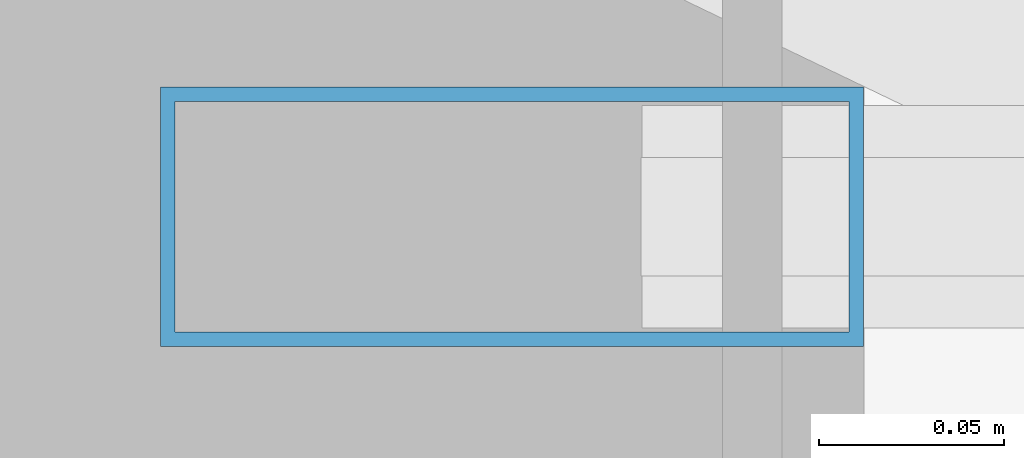
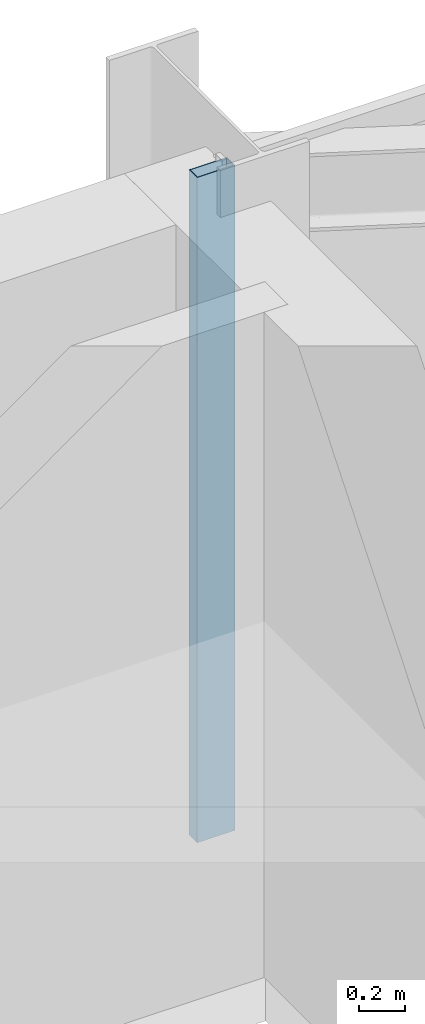
# One storey, part 23 of 32: 1 member, 1 element without a shape of its own.
"""IFC4 building model written with IfcOpenShell, lengths in metres."""

from ifc_helpers import new_model, si_unit, direction, frame, origin, origin_2d, place, context, subcontext, project, spatial, hollow_rectangle, extrude, source, transform, mapped, material, layer, layer_set, material_profile, profile_set, type_object, type_shapes, element, aggregate, save


model = new_model("IFC4")

# Units and contexts
model_context = context("Model", 3, precision=1e-05, world=origin(), true_north=direction((0.0, 1.0)))
body_context = subcontext(model_context, "Body", "Model", "MODEL_VIEW")
ifc_project = project(units=[si_unit("LENGTHUNIT", "METRE"), si_unit("AREAUNIT", "SQUARE_METRE"), si_unit("VOLUMEUNIT", "CUBIC_METRE"), si_unit("PLANEANGLEUNIT", "RADIAN"), si_unit("MASSUNIT", "GRAM", prefix="KILO")], contexts=[model_context])

# Site, building, storey
site_placement = place(None, origin())
site = spatial("IfcSite", under=ifc_project, at=site_placement, CompositionType="ELEMENT")
building_placement = place(site_placement, origin())
building = spatial("IfcBuilding", under=site, at=building_placement, Name="Varnel Quay Broadcast Tower", CompositionType="ELEMENT")
storey_placement = place(building_placement, frame((0.0, 0.0, 90.800048828125)))
storey = spatial("IfcBuildingStorey", under=building, at=storey_placement, Name="L21", CompositionType="ELEMENT", Elevation=90.800048828125)

# Curtain wall, member
ifc_material = material(Name="Anodised Bronze Aluminium 6063-T6", Category="aluminium")
ifc_layer = layer(ifc_material, 0.18994140625, Name="Anodised Bronze Aluminium 6063-T6")
ifc_layer_set = layer_set([ifc_layer], Name="Anodised Bronze Aluminium 6063-T6")
curtain_wall_type = type_object("IfcCurtainWallType", Name="CW_LowerTower", PredefinedType="NOTDEFINED", material=ifc_layer_set)
curtain_wall_placement = place(storey_placement, origin())
curtain_wall = element("IfcCurtainWall", 1, at=curtain_wall_placement, inside=storey, type_object=curtain_wall_type, Name="L21 NE Wing Curtain Wall", PredefinedType="NOTDEFINED")
ifc_material_profile = material_profile(ifc_material, hollow_rectangle(XDim=0.070068359375, YDim=0.18994140625, WallThickness=0.00390625, at=origin_2d()), Name="ALU70X190X4")
ifc_profile_set = profile_set([ifc_material_profile], Name="Anodised Bronze Aluminium 6063-T6")
member_type = type_object("IfcMemberType", Name="Mull_CWS-02", PredefinedType="MULLION", material=ifc_profile_set)
shared_shape = source(origin(), body_context, "Body", "SweptSolid", [
    extrude(hollow_rectangle(XDim=0.070068359375, YDim=0.18994140625, WallThickness=0.00390625, at=origin_2d()), origin(), (0.0, 0.0, 1.0), 3.550048828125),
])
type_shapes(member_type, [shared_shape])
member_placement = place(storey_placement, frame((52.3349609375, 46.64990234375, 0.0), z_axis=(0.0, 0.0, 1.0), x_axis=(0.0, 1.0, 0.0)))
member = element("IfcMember", 2, at=member_placement, type_object=member_type, Name="CWS-02 mullion 1", PredefinedType="MULLION", context=body_context, shape_type="MappedRepresentation", body=[
    mapped(shared_shape, transform((0.0, 0.0, 0.0), x_axis=(1.0, 0.0, 0.0), y_axis=(0.0, 1.0, 0.0), z_axis=(0.0, 0.0, 1.0), scale=1.0)),
])
aggregate(curtain_wall, [member])

save(model, "model.ifc")
